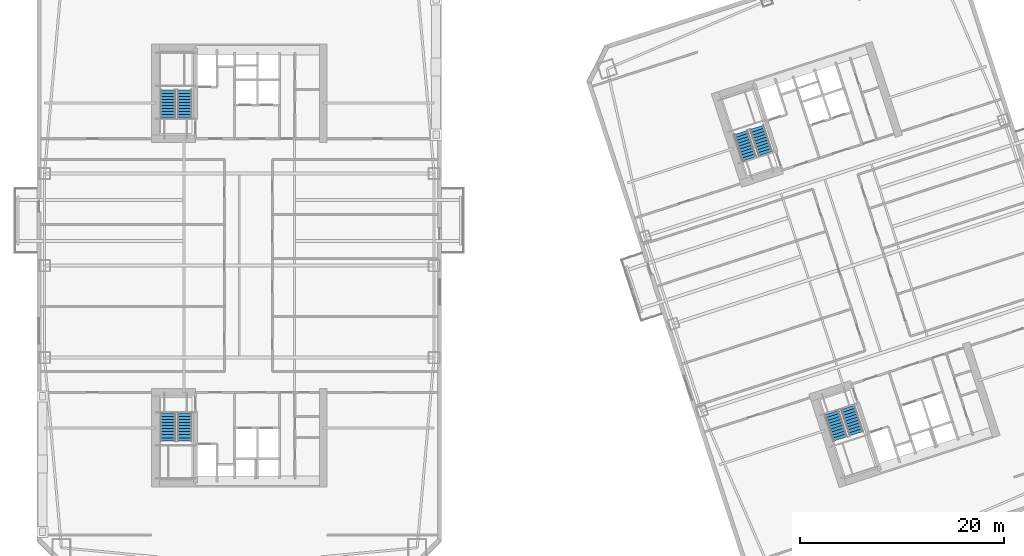
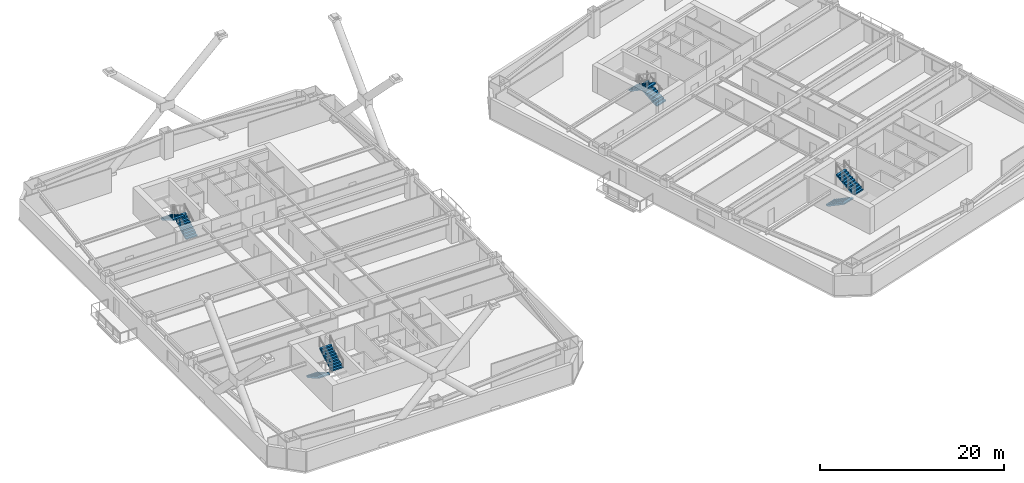
# One storey, part 10 of 15: 8 stair flights, 4 elements without a shape of their own.
"""IFC4 building model written with IfcOpenShell, lengths in metres."""

import ifcopenshell
import ifcopenshell.guid

model = None  # the IFC model being written
_history = None  # IfcOwnerHistory: only IFC2X3 demands one
_inside = {}  # id of a spatial element -> (the spatial element, [elements in it])
_under = {}  # id of a project, library or spatial element -> (it, [spatial elements below it])
_declared = {}  # id of a project -> (the project, [libraries it declares])
_typed = {}  # id of a type object -> (the type object, [elements of that type])
_made_of = {}  # id of a material, layer set ... -> (it, [elements and type objects made of it])


def new_model(schema):
    """Start an empty IFC model of exactly this schema.

    Asked for "IFC4X3", IfcOpenShell would pick the latest addendum, in which some entities
    have other attributes; the version numbers below select the first issue.
    IFC2X3 requires an IfcOwnerHistory on every rooted entity: one is made here for all.
    """
    global model, _history
    if schema == "IFC4X3":
        model = ifcopenshell.file(schema_version=(4, 3, 0, 0))
    else:
        model = ifcopenshell.file(schema=schema)
    _inside.clear()
    _under.clear()
    _declared.clear()
    _typed.clear()
    _made_of.clear()
    _history = None
    if model.schema == "IFC2X3":
        org = make("IfcOrganization", Name="unknown")
        user = make(
            "IfcPersonAndOrganization",
            ThePerson=make("IfcPerson", FamilyName="unknown"),
            TheOrganization=org,
        )
        app = make(
            "IfcApplication",
            ApplicationDeveloper=org,
            Version="unknown",
            ApplicationFullName="unknown",
            ApplicationIdentifier="unknown",
        )
        _history = make(
            "IfcOwnerHistory",
            OwningUser=user,
            OwningApplication=app,
            ChangeAction="ADDED",
            CreationDate=0,
        )
    return model


def make(cls, **values):
    """One entity of the class cls with the attributes given. An attribute that is None is left unset."""
    return model.create_entity(
        cls, **{name: value for name, value in values.items() if value is not None}
    )


def rooted(cls, **values):
    """An entity with a GlobalId (a new one), such as an element, a storey or a relation."""
    return make(cls, GlobalId=ifcopenshell.guid.new(), OwnerHistory=_history, **values)


def si_unit(unit_type, name, prefix=None):
    """IfcSIUnit, for example si_unit("LENGTHUNIT", "METRE", prefix="MILLI")."""
    return make("IfcSIUnit", UnitType=unit_type, Prefix=prefix, Name=name)


def assignment(units):
    """IfcUnitAssignment: the units of a project."""
    return None if units is None else make("IfcUnitAssignment", Units=units)


def point(xyz):
    """IfcCartesianPoint."""
    return None if xyz is None else make("IfcCartesianPoint", Coordinates=xyz)


def direction(xyz):
    """IfcDirection."""
    return None if xyz is None else make("IfcDirection", DirectionRatios=xyz)


def frame(location, z_axis=None, x_axis=None):
    """IfcAxis2Placement3D, a coordinate frame: its origin and axes. An axis left out is left unset."""
    return make(
        "IfcAxis2Placement3D",
        Location=point(location),
        Axis=direction(z_axis),
        RefDirection=direction(x_axis),
    )


def origin():
    """The frame at (0, 0, 0) with its axes left unset."""
    return frame((0.0, 0.0, 0.0))


def place(relative_to, where):
    """IfcLocalPlacement: puts the frame where relative to a parent placement (None: the world)."""
    return make(
        "IfcLocalPlacement", PlacementRelTo=relative_to, RelativePlacement=where
    )


def context(
    kind, dimensions, precision=None, world=None, true_north=None, identifier=None
):
    """IfcGeometricRepresentationContext, for example the 3D "Model" context."""
    return make(
        "IfcGeometricRepresentationContext",
        ContextIdentifier=identifier,
        ContextType=kind,
        CoordinateSpaceDimension=dimensions,
        Precision=precision,
        WorldCoordinateSystem=world,
        TrueNorth=true_north,
    )


def subcontext(parent, identifier, kind, view, scale=None):
    """IfcGeometricRepresentationSubContext, for example "Body" below "Model"."""
    return make(
        "IfcGeometricRepresentationSubContext",
        ContextIdentifier=identifier,
        ContextType=kind,
        ParentContext=parent,
        TargetScale=scale,
        TargetView=view,
    )


def project(units=None, contexts=None):
    """IfcProject with its units and contexts."""
    return rooted(
        "IfcProject",
        Name="project",
        RepresentationContexts=contexts,
        UnitsInContext=assignment(units),
    )


def spatial(cls, under=None, at=None, **own):
    """A site, building, storey or space (cls), placed at a placement, below another one or the project."""
    s = rooted(cls, ObjectPlacement=at, **own)
    if under is not None:
        _under.setdefault(under.id(), (under, []))[1].append(s)
    return s


def polyline(points):
    """IfcPolyline through the points."""
    return make("IfcPolyline", Points=[point(p) for p in points])


def outline(outer, holes=None, kind="AREA"):
    """IfcArbitraryClosedProfileDef: a profile drawn as a closed curve; with holes, ...WithVoids."""
    if holes is None:
        return make("IfcArbitraryClosedProfileDef", ProfileType=kind, OuterCurve=outer)
    return make(
        "IfcArbitraryProfileDefWithVoids",
        ProfileType=kind,
        OuterCurve=outer,
        InnerCurves=holes,
    )


def extrude(swept, where, along, depth):
    """IfcExtrudedAreaSolid: the profile swept, set in the frame where, extruded along a direction by depth."""
    return make(
        "IfcExtrudedAreaSolid",
        SweptArea=swept,
        Position=where,
        ExtrudedDirection=direction(along),
        Depth=depth,
    )


def shape(context_of_items, identifier, shape_type, items):
    """IfcShapeRepresentation: the items that make up one representation, for example the "Body"."""
    return make(
        "IfcShapeRepresentation",
        ContextOfItems=context_of_items,
        RepresentationIdentifier=identifier,
        RepresentationType=shape_type,
        Items=items,
    )


def material(Name=None, Category=None):
    """IfcMaterial."""
    return make("IfcMaterial", Name=Name, Category=Category)


def made_of(thing, what):
    """Note that an element or type object is made of a material, layer set ...; save() writes the relation."""
    if what is not None:
        _made_of.setdefault(what.id(), (what, []))[1].append(thing)
    return thing


def type_object(cls, material=None, **own):
    """A type object (cls), such as IfcWallType, which elements share."""
    return made_of(rooted(cls, **own), material)


def element(
    cls,
    number,
    at=None,
    inside=None,
    cuts=None,
    type_object=None,
    material=None,
    context=None,
    identifier="Body",
    shape_type=None,
    held_by="IfcProductDefinitionShape",
    body=None,
    shapes=None,
    **own,
):
    """One element of the class cls, such as IfcWall. Its Tag is "e" and its number.

    at: its placement. inside: the storey or other place that contains it. cuts: it is an
    opening in that element (IfcRelVoidsElement). A single representation is given by context,
    identifier, shape_type and body (its items); several are given by shapes. held_by: the class
    of the entity that holds the representations. save() writes the other relations.
    """
    e = rooted(cls, Tag="e%d" % number, ObjectPlacement=at, **own)
    if body is not None:
        shapes = [shape(context, identifier, shape_type, body)]
    if shapes is not None:
        e.Representation = make(held_by, Representations=shapes)
    if inside is not None:
        _inside.setdefault(inside.id(), (inside, []))[1].append(e)
    if cuts is not None:
        rooted(
            "IfcRelVoidsElement", RelatingBuildingElement=cuts, RelatedOpeningElement=e
        )
    if type_object is not None:
        _typed.setdefault(type_object.id(), (type_object, []))[1].append(e)
    return made_of(e, material)


def aggregate(whole, parts):
    """IfcRelAggregates: a whole, such as a stair, and the parts it consists of."""
    return rooted("IfcRelAggregates", RelatingObject=whole, RelatedObjects=parts)


def save(model, path):
    """Write the relations noted so far, then the file.

    IfcRelAggregates (storeys below a building ...), IfcRelContainedInSpatialStructure (elements
    in a storey), IfcRelDefinesByType, IfcRelAssociatesMaterial and IfcRelDeclares: one each for
    every whole, place, type object, material and project.
    """
    for whole, parts in _under.values():
        aggregate(whole, parts)
    for where, things in _inside.values():
        rooted(
            "IfcRelContainedInSpatialStructure",
            RelatedElements=things,
            RelatingStructure=where,
        )
    for kind, things in _typed.values():
        rooted("IfcRelDefinesByType", RelatedObjects=things, RelatingType=kind)
    for what, things in _made_of.values():
        rooted("IfcRelAssociatesMaterial", RelatedObjects=things, RelatingMaterial=what)
    for by, libraries in _declared.values():
        rooted("IfcRelDeclares", RelatingContext=by, RelatedDefinitions=libraries)
    model.write(path)


model = new_model("IFC4")

# Units and contexts
model_context = context("Model", 3, precision=1e-05, world=origin(), true_north=direction((0.0, 1.0)))
body_context = subcontext(model_context, "Body", "Model", "MODEL_VIEW")
ifc_project = project(units=[si_unit("LENGTHUNIT", "METRE"), si_unit("AREAUNIT", "SQUARE_METRE"), si_unit("VOLUMEUNIT", "CUBIC_METRE"), si_unit("PLANEANGLEUNIT", "RADIAN"), si_unit("MASSUNIT", "GRAM", prefix="KILO")], contexts=[model_context])

# Site, building, storey
site_placement = place(None, origin())
site = spatial("IfcSite", under=ifc_project, at=site_placement, CompositionType="ELEMENT")
building_placement = place(site_placement, origin())
building = spatial("IfcBuilding", under=site, at=building_placement, Name="Qiaolan Cultural Towers", CompositionType="ELEMENT")
storey_placement = place(building_placement, frame((0.0, 0.0, 71.300048828125)))
storey = spatial("IfcBuildingStorey", under=building, at=storey_placement, Name="L17", CompositionType="ELEMENT", Elevation=71.300048828125)

# Stair, stair flights
ifc_material_1 = material(Name="Concrete C45", Category="concrete")
stair_type = type_object("IfcStairType", Name="STR-CORE-1500", PredefinedType="HALF_TURN_STAIR", material=ifc_material_1)
stair_1_placement = place(storey_placement, origin())
stair_1 = element("IfcStair", 1, at=stair_1_placement, inside=storey, type_object=stair_type, Name="L17 Smokeproof Exit Stair ST-W1", PredefinedType="HALF_TURN_STAIR")
ifc_material_2 = material(Name="Concrete C45", Category="concrete")
stair_flight_type = type_object("IfcStairFlightType", Name="STR-CORE-1500-FL", PredefinedType="STRAIGHT", material=ifc_material_2)
stair_flight_1_placement = place(storey_placement, frame((23.02001953125, 19.550048828125, 0.0), z_axis=(0.0, 0.0, 1.0), x_axis=(0.0, -1.0, 0.0)))
stair_flight_1 = element("IfcStairFlight", 2, at=stair_flight_1_placement, type_object=stair_flight_type, Name="ST-W1 flight 1", NumberOfRisers=10, NumberOfTreads=9, PredefinedType="STRAIGHT", RiserHeight=0.1725, TreadLength=0.3, context=body_context, shape_type="SweptSolid", body=[
    extrude(outline(polyline([(0.0, 0.0), (0.0, 0.172607421875), (0.300048828125, 0.172607421875), (0.300048828125, 0.344970703125), (0.60009765625, 0.344970703125), (0.60009765625, 0.517578125), (0.89990234375, 0.517578125), (0.89990234375, 0.68994140625), (1.199951171875, 0.68994140625), (1.199951171875, 0.862548828125), (1.5, 0.862548828125), (1.5, 1.034912109375), (1.800048828125, 1.034912109375), (1.800048828125, 1.20751953125), (2.10009765625, 1.20751953125), (2.10009765625, 1.3798828125), (2.39990234375, 1.3798828125), (2.39990234375, 1.552490234375), (2.699951171875, 1.552490234375), (2.699951171875, 1.72509765625), (2.699951171875, 1.379638671875), (0.30078125, 0.0), (0.0, 0.0)])), frame((0.0, 0.719970703125, 0.0), z_axis=(0.0, -1.0, 0.0), x_axis=(1.0, 0.0, 0.0)), (0.0, 0.0, 1.0), 1.43994140625),
])
stair_flight_2_placement = place(storey_placement, frame((24.659912109375, 16.85009765625, 1.724853515625), z_axis=(0.0, 0.0, 1.0), x_axis=(0.0, 1.0, 0.0)))
stair_flight_2 = element("IfcStairFlight", 3, at=stair_flight_2_placement, type_object=stair_flight_type, Name="ST-W1 flight 2", NumberOfRisers=10, NumberOfTreads=9, PredefinedType="STRAIGHT", RiserHeight=0.1725, TreadLength=0.3, context=body_context, shape_type="SweptSolid", body=[
    extrude(outline(polyline([(0.0, 0.0), (0.0, 0.172607421875), (0.300048828125, 0.172607421875), (0.300048828125, 0.344970703125), (0.60009765625, 0.344970703125), (0.60009765625, 0.517578125), (0.89990234375, 0.517578125), (0.89990234375, 0.68994140625), (1.199951171875, 0.68994140625), (1.199951171875, 0.862548828125), (1.5, 0.862548828125), (1.5, 1.034912109375), (1.800048828125, 1.034912109375), (1.800048828125, 1.20751953125), (2.10009765625, 1.20751953125), (2.10009765625, 1.3798828125), (2.39990234375, 1.3798828125), (2.39990234375, 1.552490234375), (2.699951171875, 1.552490234375), (2.699951171875, 1.72509765625), (2.699951171875, 1.379638671875), (0.30078125, 0.0), (0.0, 0.0)])), frame((0.0, 0.719970703125, 0.0), z_axis=(0.0, -1.0, 0.0), x_axis=(1.0, 0.0, 0.0)), (0.0, 0.0, 1.0), 1.43994140625),
])
aggregate(stair_1, [stair_flight_1, stair_flight_2])

stair_2_placement = place(storey_placement, origin())
stair_2 = element("IfcStair", 4, at=stair_2_placement, inside=storey, type_object=stair_type, Name="L17 Smokeproof Exit Stair ST-W2", PredefinedType="HALF_TURN_STAIR")
stair_flight_3_placement = place(storey_placement, frame((24.659912109375, 48.449951171875, 0.0), z_axis=(0.0, 0.0, 1.0), x_axis=(0.0, 1.0, 0.0)))
stair_flight_3 = element("IfcStairFlight", 5, at=stair_flight_3_placement, type_object=stair_flight_type, Name="ST-W2 flight 1", NumberOfRisers=10, NumberOfTreads=9, PredefinedType="STRAIGHT", RiserHeight=0.1725, TreadLength=0.3, context=body_context, shape_type="SweptSolid", body=[
    extrude(outline(polyline([(0.0, 0.0), (0.0, 0.172607421875), (0.300048828125, 0.172607421875), (0.300048828125, 0.344970703125), (0.60009765625, 0.344970703125), (0.60009765625, 0.517578125), (0.89990234375, 0.517578125), (0.89990234375, 0.68994140625), (1.199951171875, 0.68994140625), (1.199951171875, 0.862548828125), (1.5, 0.862548828125), (1.5, 1.034912109375), (1.800048828125, 1.034912109375), (1.800048828125, 1.20751953125), (2.10009765625, 1.20751953125), (2.10009765625, 1.3798828125), (2.39990234375, 1.3798828125), (2.39990234375, 1.552490234375), (2.699951171875, 1.552490234375), (2.699951171875, 1.72509765625), (2.699951171875, 1.379638671875), (0.30078125, 0.0), (0.0, 0.0)])), frame((0.0, 0.719970703125, 0.0), z_axis=(0.0, -1.0, 0.0), x_axis=(1.0, 0.0, 0.0)), (0.0, 0.0, 1.0), 1.43994140625),
])
stair_flight_4_placement = place(storey_placement, frame((23.02001953125, 51.14990234375, 1.724853515625), z_axis=(0.0, 0.0, 1.0), x_axis=(0.0, -1.0, 0.0)))
stair_flight_4 = element("IfcStairFlight", 6, at=stair_flight_4_placement, type_object=stair_flight_type, Name="ST-W2 flight 2", NumberOfRisers=10, NumberOfTreads=9, PredefinedType="STRAIGHT", RiserHeight=0.1725, TreadLength=0.3, context=body_context, shape_type="SweptSolid", body=[
    extrude(outline(polyline([(0.0, 0.0), (0.0, 0.172607421875), (0.300048828125, 0.172607421875), (0.300048828125, 0.344970703125), (0.60009765625, 0.344970703125), (0.60009765625, 0.517578125), (0.89990234375, 0.517578125), (0.89990234375, 0.68994140625), (1.199951171875, 0.68994140625), (1.199951171875, 0.862548828125), (1.5, 0.862548828125), (1.5, 1.034912109375), (1.800048828125, 1.034912109375), (1.800048828125, 1.20751953125), (2.10009765625, 1.20751953125), (2.10009765625, 1.3798828125), (2.39990234375, 1.3798828125), (2.39990234375, 1.552490234375), (2.699951171875, 1.552490234375), (2.699951171875, 1.72509765625), (2.699951171875, 1.379638671875), (0.30078125, 0.0), (0.0, 0.0)])), frame((0.0, 0.719970703125, 0.0), z_axis=(0.0, -1.0, 0.0), x_axis=(1.0, 0.0, 0.0)), (0.0, 0.0, 1.0), 1.43994140625),
])
aggregate(stair_2, [stair_flight_3, stair_flight_4])

stair_3_placement = place(storey_placement, origin())
stair_3 = element("IfcStair", 7, at=stair_3_placement, inside=storey, type_object=stair_type, Name="L17 Smokeproof Exit Stair ST-E1", PredefinedType="HALF_TURN_STAIR")
stair_flight_5_placement = place(storey_placement, frame((87.96484375, 19.6171875, 0.0), z_axis=(0.0, 0.0, 1.0), x_axis=(0.309016994375, -0.951056516295, 0.0)))
stair_flight_5 = element("IfcStairFlight", 8, at=stair_flight_5_placement, type_object=stair_flight_type, Name="ST-E1 flight 1", NumberOfRisers=10, NumberOfTreads=9, PredefinedType="STRAIGHT", RiserHeight=0.1725, TreadLength=0.3, context=body_context, shape_type="SweptSolid", body=[
    extrude(outline(polyline([(0.0, 0.0), (0.0, 0.172607421875), (0.300048828125, 0.172607421875), (0.300048828125, 0.344970703125), (0.60009765625, 0.344970703125), (0.60009765625, 0.517578125), (0.89990234375, 0.517578125), (0.89990234375, 0.68994140625), (1.199951171875, 0.68994140625), (1.199951171875, 0.862548828125), (1.5, 0.862548828125), (1.5, 1.034912109375), (1.800048828125, 1.034912109375), (1.800048828125, 1.20751953125), (2.10009765625, 1.20751953125), (2.10009765625, 1.3798828125), (2.39990234375, 1.3798828125), (2.39990234375, 1.552490234375), (2.699951171875, 1.552490234375), (2.699951171875, 1.72509765625), (2.699951171875, 1.379638671875), (0.30078125, 0.0), (0.0, 0.0)])), frame((0.0, 0.719970703125, 0.0), z_axis=(0.0, -1.0, 0.0), x_axis=(1.0, 0.0, 0.0)), (0.0, 0.0, 1.0), 1.43994140625),
])
stair_flight_6_placement = place(storey_placement, frame((90.359130859375, 17.55615234375, 1.724853515625), z_axis=(0.0, 0.0, 1.0), x_axis=(-0.309016994375, 0.951056516295, 0.0)))
stair_flight_6 = element("IfcStairFlight", 9, at=stair_flight_6_placement, type_object=stair_flight_type, Name="ST-E1 flight 2", NumberOfRisers=10, NumberOfTreads=9, PredefinedType="STRAIGHT", RiserHeight=0.1725, TreadLength=0.3, context=body_context, shape_type="SweptSolid", body=[
    extrude(outline(polyline([(0.0, 0.0), (0.0, 0.172607421875), (0.300048828125, 0.172607421875), (0.300048828125, 0.344970703125), (0.60009765625, 0.344970703125), (0.60009765625, 0.517578125), (0.89990234375, 0.517578125), (0.89990234375, 0.68994140625), (1.199951171875, 0.68994140625), (1.199951171875, 0.862548828125), (1.5, 0.862548828125), (1.5, 1.034912109375), (1.800048828125, 1.034912109375), (1.800048828125, 1.20751953125), (2.10009765625, 1.20751953125), (2.10009765625, 1.3798828125), (2.39990234375, 1.3798828125), (2.39990234375, 1.552490234375), (2.699951171875, 1.552490234375), (2.699951171875, 1.72509765625), (2.699951171875, 1.379638671875), (0.30078125, 0.0), (0.0, 0.0)])), frame((0.0, 0.719970703125, 0.0), z_axis=(0.0, -1.0, 0.0), x_axis=(1.0, 0.0, 0.0)), (0.0, 0.0, 1.0), 1.43994140625),
])
aggregate(stair_3, [stair_flight_5, stair_flight_6])

stair_4_placement = place(storey_placement, origin())
stair_4 = element("IfcStair", 10, at=stair_4_placement, inside=storey, type_object=stair_type, Name="L17 Smokeproof Exit Stair ST-E2", PredefinedType="HALF_TURN_STAIR")
stair_flight_7_placement = place(storey_placement, frame((81.459228515625, 44.946533203125, 0.0), z_axis=(0.0, 0.0, 1.0), x_axis=(-0.309016994375, 0.951056516295, 0.0)))
stair_flight_7 = element("IfcStairFlight", 11, at=stair_flight_7_placement, type_object=stair_flight_type, Name="ST-E2 flight 1", NumberOfRisers=10, NumberOfTreads=9, PredefinedType="STRAIGHT", RiserHeight=0.1725, TreadLength=0.3, context=body_context, shape_type="SweptSolid", body=[
    extrude(outline(polyline([(0.0, 0.0), (0.0, 0.172607421875), (0.300048828125, 0.172607421875), (0.300048828125, 0.344970703125), (0.60009765625, 0.344970703125), (0.60009765625, 0.517578125), (0.89990234375, 0.517578125), (0.89990234375, 0.68994140625), (1.199951171875, 0.68994140625), (1.199951171875, 0.862548828125), (1.5, 0.862548828125), (1.5, 1.034912109375), (1.800048828125, 1.034912109375), (1.800048828125, 1.20751953125), (2.10009765625, 1.20751953125), (2.10009765625, 1.3798828125), (2.39990234375, 1.3798828125), (2.39990234375, 1.552490234375), (2.699951171875, 1.552490234375), (2.699951171875, 1.72509765625), (2.699951171875, 1.379638671875), (0.30078125, 0.0), (0.0, 0.0)])), frame((0.0, 0.719970703125, 0.0), z_axis=(0.0, -1.0, 0.0), x_axis=(1.0, 0.0, 0.0)), (0.0, 0.0, 1.0), 1.43994140625),
])
stair_flight_8_placement = place(storey_placement, frame((79.065185546875, 47.007568359375, 1.724853515625), z_axis=(0.0, 0.0, 1.0), x_axis=(0.309016994375, -0.951056516295, 0.0)))
stair_flight_8 = element("IfcStairFlight", 12, at=stair_flight_8_placement, type_object=stair_flight_type, Name="ST-E2 flight 2", NumberOfRisers=10, NumberOfTreads=9, PredefinedType="STRAIGHT", RiserHeight=0.1725, TreadLength=0.3, context=body_context, shape_type="SweptSolid", body=[
    extrude(outline(polyline([(0.0, 0.0), (0.0, 0.172607421875), (0.300048828125, 0.172607421875), (0.300048828125, 0.344970703125), (0.60009765625, 0.344970703125), (0.60009765625, 0.517578125), (0.89990234375, 0.517578125), (0.89990234375, 0.68994140625), (1.199951171875, 0.68994140625), (1.199951171875, 0.862548828125), (1.5, 0.862548828125), (1.5, 1.034912109375), (1.800048828125, 1.034912109375), (1.800048828125, 1.20751953125), (2.10009765625, 1.20751953125), (2.10009765625, 1.3798828125), (2.39990234375, 1.3798828125), (2.39990234375, 1.552490234375), (2.699951171875, 1.552490234375), (2.699951171875, 1.72509765625), (2.699951171875, 1.379638671875), (0.30078125, 0.0), (0.0, 0.0)])), frame((0.0, 0.719970703125, 0.0), z_axis=(0.0, -1.0, 0.0), x_axis=(1.0, 0.0, 0.0)), (0.0, 0.0, 1.0), 1.43994140625),
])
aggregate(stair_4, [stair_flight_7, stair_flight_8])

save(model, "model.ifc")
